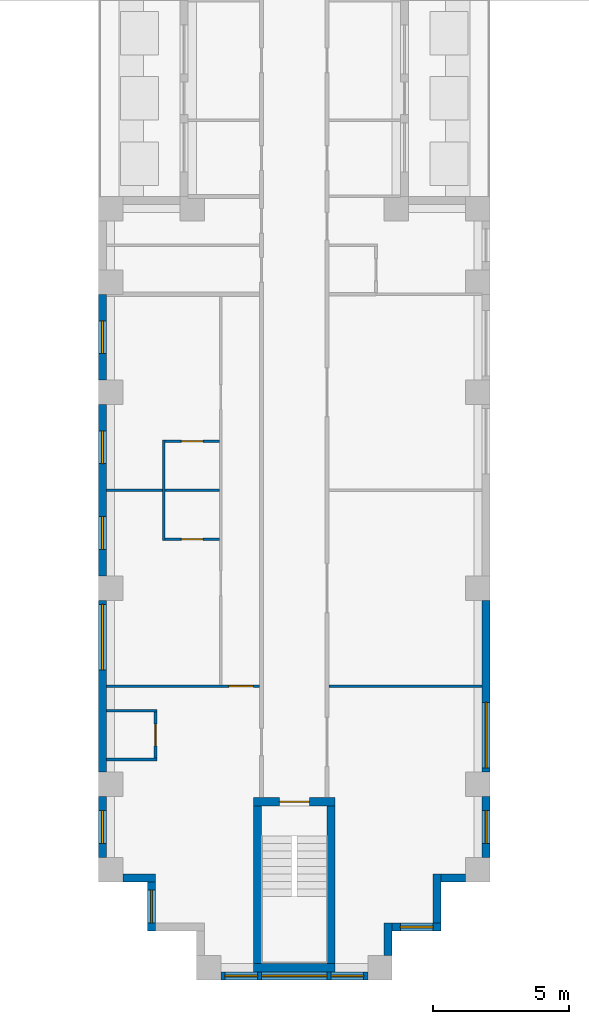
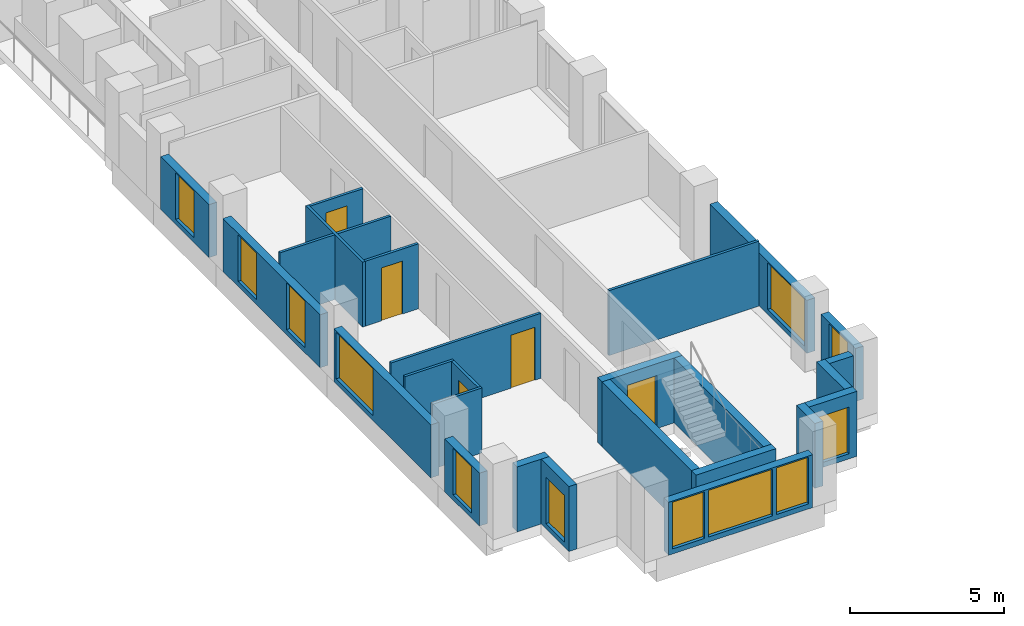
# One storey, part 3 of 13: 26 walls, 12 windows, 5 doors, 17 openings.
"""IFC4 building model written with IfcOpenShell, lengths in metres."""

from ifc_helpers import new_model, si_unit, direction, frame, frame_2d, origin, place, context, subcontext, project, spatial, rectangle, extrude, material, layer, layer_set, type_object, element, fill, save


model = new_model("IFC4")

# Units and contexts
model_context = context("Model", 3, precision=1e-05, world=origin(), true_north=direction((0.0, 1.0)))
body_context = subcontext(model_context, "Body", "Model", "MODEL_VIEW")
ifc_project = project(units=[si_unit("LENGTHUNIT", "METRE"), si_unit("AREAUNIT", "SQUARE_METRE"), si_unit("VOLUMEUNIT", "CUBIC_METRE"), si_unit("PLANEANGLEUNIT", "RADIAN"), si_unit("MASSUNIT", "GRAM", prefix="KILO")], contexts=[model_context])

# Site, building, storey
site_placement = place(None, origin())
site = spatial("IfcSite", under=ifc_project, at=site_placement, CompositionType="ELEMENT")
building_placement = place(site_placement, origin())
building = spatial("IfcBuilding", under=site, at=building_placement, Name="Fustian Cross Tower", CompositionType="ELEMENT")
storey_placement = place(building_placement, frame((0.0, 0.0, 81.89990234375)))
storey = spatial("IfcBuildingStorey", under=building, at=storey_placement, Name="L25", CompositionType="ELEMENT", Elevation=81.89990234375)

# Walls
ifc_material_1 = material(Name="Plasterboard on steel stud", Category="steel")
ifc_layer_1 = layer(ifc_material_1, 0.10009765625)
ifc_layer_set_1 = layer_set([ifc_layer_1], Name="Plasterboard on steel stud")
wall_type_1 = type_object("IfcWallType", Name="PARTITION 100 STUD", PredefinedType="PARTITIONING", material=ifc_layer_set_1)
for number, where, z_axis, x_axis, name in (
    (1, (-6.89990234375, -35.10009765625, 0.0), (0.0, 0.0, 1.0), (1.0, 0.0, 0.0), "Partition 13"),
    (2, (-6.89990234375, -33.300048828125, 0.0), (0.0, 0.0, 1.0), (1.0, 0.0, 0.0), "Partition 14"),
):
    element("IfcWall", number, at=place(storey_placement, frame(where, z_axis=z_axis, x_axis=x_axis)), inside=storey, type_object=wall_type_1, Name=name, PredefinedType="PARTITIONING", context=body_context, shape_type="SweptSolid", body=[
        extrude(rectangle(XDim=1.849853515625, YDim=0.10009765625, at=frame_2d((0.9248046875, 0.0))), origin(), (0.0, 0.0, 1.0), 2.5751953125),
    ])

# Wall, opening, door
wall_1_placement = place(storey_placement, frame((-6.89990234375, -32.39990234375, 0.0), z_axis=(0.0, 0.0, 1.0), x_axis=(1.0, 0.0, 0.0)))
wall_1 = element("IfcWall", 3, at=wall_1_placement, inside=storey, type_object=wall_type_1, Name="Partition 15", PredefinedType="PARTITIONING", context=body_context, shape_type="SweptSolid", body=[
    extrude(rectangle(XDim=5.625, YDim=0.10009765625, at=frame_2d((2.8125, 0.0))), origin(), (0.0, 0.0, 1.0), 2.5751953125),
])
opening_1_placement = place(wall_1_placement, frame((4.5, 0.0, 0.0)))
opening_1 = element("IfcOpeningElement", 4, at=opening_1_placement, cuts=wall_1, Name="Opening D12052", PredefinedType="OPENING", context=body_context, shape_type="SweptSolid", body=[
    extrude(rectangle(XDim=0.89990234375, YDim=2.10009765625, at=frame_2d((0.449951171875, 1.050048828125))), frame((0.0, 0.06005859375, 0.0), z_axis=(0.0, -1.0, 0.0), x_axis=(1.0, 0.0, 0.0)), (0.0, 0.0, 1.0), 0.1201171875),
])
ifc_material_2 = material(Name="Painted timber", Category="wood")
door_type_1 = type_object("IfcDoorType", Name="SWING DOOR 900", OperationType="SINGLE_SWING_LEFT", PredefinedType="DOOR", material=ifc_material_2)
door_1_placement = place(opening_1_placement, origin())
door_1 = element("IfcDoor", 5, at=door_1_placement, inside=storey, type_object=door_type_1, Name="Door D12052", OperationType="SINGLE_SWING_LEFT", OverallHeight=2.10009765625, OverallWidth=0.89990234375, PredefinedType="DOOR", context=body_context, shape_type="SweptSolid", body=[
    extrude(rectangle(XDim=0.89990234375, YDim=2.10009765625, at=frame_2d((0.449951171875, 1.050048828125))), frame((0.0, 0.02490234375, 0.0), z_axis=(0.0, -1.0, 0.0), x_axis=(1.0, 0.0, 0.0)), (0.0, 0.0, 1.0), 0.050048828125),
])
fill(opening_1, door_1)

# Wall
wall_2_placement = place(storey_placement, frame((-6.89990234375, -25.199951171875, 0.0), z_axis=(0.0, 0.0, 1.0), x_axis=(1.0, 0.0, 0.0)))
element("IfcWall", 6, at=wall_2_placement, inside=storey, type_object=wall_type_1, Name="Partition 16", PredefinedType="PARTITIONING", context=body_context, shape_type="SweptSolid", body=[
    extrude(rectangle(XDim=4.14990234375, YDim=0.10009765625, at=frame_2d((2.074951171875, 0.0))), origin(), (0.0, 0.0, 1.0), 2.5751953125),
])

# Wall, opening, door
wall_3_placement = place(storey_placement, frame((-5.10009765625, -35.050048828125, 0.0), z_axis=(0.0, 0.0, 1.0), x_axis=(0.0, 1.0, 0.0)))
wall_3 = element("IfcWall", 7, at=wall_3_placement, inside=storey, type_object=wall_type_1, Name="Partition 20", PredefinedType="PARTITIONING", context=body_context, shape_type="SweptSolid", body=[
    extrude(rectangle(XDim=1.699951171875, YDim=0.10009765625, at=frame_2d((0.85009765625, 0.0))), origin(), (0.0, 0.0, 1.0), 2.5751953125),
])
opening_2_placement = place(wall_3_placement, frame((0.449951171875, 0.0, 0.0)))
opening_2 = element("IfcOpeningElement", 8, at=opening_2_placement, cuts=wall_3, Name="Opening D12048", PredefinedType="OPENING", context=body_context, shape_type="SweptSolid", body=[
    extrude(rectangle(XDim=0.800048828125, YDim=2.10009765625, at=frame_2d((0.39990234375, 1.050048828125))), frame((0.0, 0.06005859375, 0.0), z_axis=(0.0, -1.0, 0.0), x_axis=(1.0, 0.0, 0.0)), (0.0, 0.0, 1.0), 0.1201171875),
])
ifc_material_3 = material(Name="Painted timber", Category="wood")
door_type_2 = type_object("IfcDoorType", Name="SWING DOOR 800", OperationType="SINGLE_SWING_LEFT", PredefinedType="DOOR", material=ifc_material_3)
door_2_placement = place(opening_2_placement, origin())
door_2 = element("IfcDoor", 9, at=door_2_placement, inside=storey, type_object=door_type_2, Name="Door D12048", OperationType="SINGLE_SWING_RIGHT", OverallHeight=2.10009765625, OverallWidth=0.800048828125, PredefinedType="DOOR", context=body_context, shape_type="SweptSolid", body=[
    extrude(rectangle(XDim=0.800048828125, YDim=2.10009765625, at=frame_2d((0.39990234375, 1.050048828125))), frame((0.0, 0.02490234375, 0.0), z_axis=(0.0, -1.0, 0.0), x_axis=(1.0, 0.0, 0.0)), (0.0, 0.0, 1.0), 0.050048828125),
])
fill(opening_2, door_2)

# Wall
wall_4_placement = place(storey_placement, frame((-4.800048828125, -27.050048828125, 0.0), z_axis=(0.0, 0.0, 1.0), x_axis=(0.0, 1.0, 0.0)))
element("IfcWall", 10, at=wall_4_placement, inside=storey, type_object=wall_type_1, Name="Partition 22", PredefinedType="PARTITIONING", context=body_context, shape_type="SweptSolid", body=[
    extrude(rectangle(XDim=3.699951171875, YDim=0.10009765625, at=frame_2d((1.85009765625, 0.0))), origin(), (0.0, 0.0, 1.0), 2.5751953125),
])

# Wall, opening, door
wall_5_placement = place(storey_placement, frame((-4.75, -27.0, 0.0), z_axis=(0.0, 0.0, 1.0), x_axis=(1.0, 0.0, 0.0)))
wall_5 = element("IfcWall", 11, at=wall_5_placement, inside=storey, type_object=wall_type_1, Name="Partition 23", PredefinedType="PARTITIONING", context=body_context, shape_type="SweptSolid", body=[
    extrude(rectangle(XDim=2.0, YDim=0.10009765625, at=frame_2d((1.0, 0.0))), origin(), (0.0, 0.0, 1.0), 2.5751953125),
])
opening_3_placement = place(wall_5_placement, frame((0.60009765625, 0.0, 0.0)))
opening_3 = element("IfcOpeningElement", 12, at=opening_3_placement, cuts=wall_5, Name="Opening D12054", PredefinedType="OPENING", context=body_context, shape_type="SweptSolid", body=[
    extrude(rectangle(XDim=0.800048828125, YDim=2.10009765625, at=frame_2d((0.39990234375, 1.050048828125))), frame((0.0, 0.06005859375, 0.0), z_axis=(0.0, -1.0, 0.0), x_axis=(1.0, 0.0, 0.0)), (0.0, 0.0, 1.0), 0.1201171875),
])
door_3_placement = place(opening_3_placement, origin())
door_3 = element("IfcDoor", 13, at=door_3_placement, inside=storey, type_object=door_type_2, Name="Door D12054", OperationType="SINGLE_SWING_LEFT", OverallHeight=2.10009765625, OverallWidth=0.800048828125, PredefinedType="DOOR", context=body_context, shape_type="SweptSolid", body=[
    extrude(rectangle(XDim=0.800048828125, YDim=2.10009765625, at=frame_2d((0.39990234375, 1.050048828125))), frame((0.0, 0.02490234375, 0.0), z_axis=(0.0, -1.0, 0.0), x_axis=(1.0, 0.0, 0.0)), (0.0, 0.0, 1.0), 0.050048828125),
])
fill(opening_3, door_3)

wall_6_placement = place(storey_placement, frame((-4.75, -23.39990234375, 0.0), z_axis=(0.0, 0.0, 1.0), x_axis=(1.0, 0.0, 0.0)))
wall_6 = element("IfcWall", 14, at=wall_6_placement, inside=storey, type_object=wall_type_1, Name="Partition 24", PredefinedType="PARTITIONING", context=body_context, shape_type="SweptSolid", body=[
    extrude(rectangle(XDim=2.0, YDim=0.10009765625, at=frame_2d((1.0, 0.0))), origin(), (0.0, 0.0, 1.0), 2.5751953125),
])
opening_4_placement = place(wall_6_placement, frame((0.60009765625, 0.0, 0.0)))
opening_4 = element("IfcOpeningElement", 15, at=opening_4_placement, cuts=wall_6, Name="Opening D12053", PredefinedType="OPENING", context=body_context, shape_type="SweptSolid", body=[
    extrude(rectangle(XDim=0.800048828125, YDim=2.10009765625, at=frame_2d((0.39990234375, 1.050048828125))), frame((0.0, 0.06005859375, 0.0), z_axis=(0.0, -1.0, 0.0), x_axis=(1.0, 0.0, 0.0)), (0.0, 0.0, 1.0), 0.1201171875),
])
door_4_placement = place(opening_4_placement, frame((0.800048828125, 0.0, 0.0), z_axis=(0.0, 0.0, 1.0), x_axis=(-1.0, 0.0, 0.0)))
door_4 = element("IfcDoor", 16, at=door_4_placement, inside=storey, type_object=door_type_2, Name="Door D12053", OperationType="SINGLE_SWING_RIGHT", OverallHeight=2.10009765625, OverallWidth=0.800048828125, PredefinedType="DOOR", context=body_context, shape_type="SweptSolid", body=[
    extrude(rectangle(XDim=0.800048828125, YDim=2.10009765625, at=frame_2d((0.39990234375, 1.050048828125))), frame((0.0, 0.02490234375, 0.0), z_axis=(0.0, -1.0, 0.0), x_axis=(1.0, 0.0, 0.0)), (0.0, 0.0, 1.0), 0.050048828125),
])
fill(opening_4, door_4)

# Wall
wall_7_placement = place(storey_placement, frame((1.27490234375, -32.39990234375, 0.0), z_axis=(0.0, 0.0, 1.0), x_axis=(1.0, 0.0, 0.0)))
element("IfcWall", 17, at=wall_7_placement, inside=storey, type_object=wall_type_1, Name="Partition 37", PredefinedType="PARTITIONING", context=body_context, shape_type="SweptSolid", body=[
    extrude(rectangle(XDim=5.625, YDim=0.10009765625, at=frame_2d((2.8125, 0.0))), origin(), (0.0, 0.0, 1.0), 2.5751953125),
])

# Wall, opening, door
ifc_material_4 = material(Name="Concrete C50/60", Category="concrete")
ifc_layer_2 = layer(ifc_material_4, 0.300048828125)
ifc_layer_set_2 = layer_set([ifc_layer_2], Name="Concrete C50/60")
wall_type_2 = type_object("IfcWallType", Name="STAIR ENCLOSURE WALL 300 C50/60", PredefinedType="SHEAR", material=ifc_layer_set_2)
wall_8_placement = place(storey_placement, frame((-1.5, -36.64990234375, 0.0), z_axis=(0.0, 0.0, 1.0), x_axis=(1.0, 0.0, 0.0)))
wall_8 = element("IfcWall", 18, at=wall_8_placement, inside=storey, type_object=wall_type_2, Name="Stair enclosure wall", PredefinedType="SHEAR", context=body_context, shape_type="SweptSolid", body=[
    extrude(rectangle(XDim=3.0, YDim=0.300048828125, at=frame_2d((1.5, 0.0))), origin(), (0.0, 0.0, 1.0), 2.5751953125),
])
opening_5_placement = place(wall_8_placement, frame((0.949951171875, 0.0, 0.0)))
opening_5 = element("IfcOpeningElement", 19, at=opening_5_placement, cuts=wall_8, Name="Opening CD-10-31", PredefinedType="OPENING", context=body_context, shape_type="SweptSolid", body=[
    extrude(rectangle(XDim=1.10009765625, YDim=2.10009765625, at=frame_2d((0.550048828125, 1.050048828125))), frame((0.0, 0.159912109375, 0.0), z_axis=(0.0, -1.0, 0.0), x_axis=(1.0, 0.0, 0.0)), (0.0, 0.0, 1.0), 0.320068359375),
])
ifc_material_5 = material(Name="Steel", Category="steel")
door_type_3 = type_object("IfcDoorType", Name="FIRE DOOR FD60S 1100X2100", OperationType="SINGLE_SWING_LEFT", PredefinedType="DOOR", material=ifc_material_5)
door_5_placement = place(opening_5_placement, frame((1.10009765625, 0.0, 0.0), z_axis=(0.0, 0.0, 1.0), x_axis=(-1.0, 0.0, 0.0)))
door_5 = element("IfcDoor", 20, at=door_5_placement, inside=storey, type_object=door_type_3, Name="Core door CD-10-31", OperationType="SINGLE_SWING_RIGHT", OverallHeight=2.10009765625, OverallWidth=1.10009765625, PredefinedType="DOOR", context=body_context, shape_type="SweptSolid", body=[
    extrude(rectangle(XDim=1.10009765625, YDim=2.10009765625, at=frame_2d((0.550048828125, 1.050048828125))), frame((0.0, 0.02490234375, 0.0), z_axis=(0.0, -1.0, 0.0), x_axis=(1.0, 0.0, 0.0)), (0.0, 0.0, 1.0), 0.050048828125),
])
fill(opening_5, door_5)

# Walls
wall_9_placement = place(storey_placement, frame((-1.5, -42.75, 0.0), z_axis=(0.0, 0.0, 1.0), x_axis=(1.0, 0.0, 0.0)))
element("IfcWall", 21, at=wall_9_placement, inside=storey, type_object=wall_type_2, Name="Stair enclosure wall", PredefinedType="SHEAR", context=body_context, shape_type="SweptSolid", body=[
    extrude(rectangle(XDim=3.0, YDim=0.300048828125, at=frame_2d((1.5, 0.0))), origin(), (0.0, 0.0, 1.0), 2.5751953125),
])
for number, where, z_axis, x_axis, name in (
    (22, (-1.35009765625, -36.800048828125, 0.0), (0.0, 0.0, 1.0), (0.0, -1.0, 0.0), "Stair enclosure wall"),
    (23, (1.35009765625, -36.800048828125, 0.0), (0.0, 0.0, 1.0), (0.0, -1.0, 0.0), "Stair enclosure wall"),
):
    element("IfcWall", number, at=place(storey_placement, frame(where, z_axis=z_axis, x_axis=x_axis)), inside=storey, type_object=wall_type_2, Name=name, PredefinedType="SHEAR", context=body_context, shape_type="SweptSolid", body=[
        extrude(rectangle(XDim=5.800048828125, YDim=0.300048828125, at=frame_2d((2.89990234375, 0.0))), origin(), (0.0, 0.0, 1.0), 2.5751953125),
    ])

# Wall, opening, window
ifc_material_6 = material(Name="Dark aluminium cladding on insulated backing wall", Category="aluminium")
ifc_layer_3 = layer(ifc_material_6, 0.300048828125)
ifc_layer_set_3 = layer_set([ifc_layer_3], Name="Dark aluminium cladding on insulated backing wall")
wall_type_3 = type_object("IfcWallType", Name="XW1 EXTERNAL WALL 300", PredefinedType="SOLIDWALL", material=ifc_layer_set_3)
wall_10_placement = place(storey_placement, frame((-7.050048828125, -18.0, 0.0), z_axis=(0.0, 0.0, 1.0), x_axis=(0.0, -1.0, 0.0)))
wall_10 = element("IfcWall", 24, at=wall_10_placement, inside=storey, type_object=wall_type_3, Name="External wall", PredefinedType="SOLIDWALL", context=body_context, shape_type="SweptSolid", body=[
    extrude(rectangle(XDim=3.14990234375, YDim=0.300048828125, at=frame_2d((1.574951171875, 0.0))), origin(), (0.0, 0.0, 1.0), 2.10009765625),
])
opening_6_placement = place(wall_10_placement, frame((0.97509765625, 0.0, 0.199951171875)))
opening_6 = element("IfcOpeningElement", 25, at=opening_6_placement, cuts=wall_10, Name="Opening WN3", PredefinedType="OPENING", context=body_context, shape_type="SweptSolid", body=[
    extrude(rectangle(XDim=1.199951171875, YDim=1.85009765625, at=frame_2d((0.60009765625, 0.925048828125))), frame((0.0, 0.159912109375, 0.0), z_axis=(0.0, -1.0, 0.0), x_axis=(1.0, 0.0, 0.0)), (0.0, 0.0, 1.0), 0.320068359375),
])
ifc_material_7 = material(Name="Dark anodised aluminium and double glazing", Category="aluminium")
window_type_1 = type_object("IfcWindowType", Name="WN3 WINDOW 1200X1850", PartitioningType="SINGLE_PANEL", PredefinedType="WINDOW", material=ifc_material_7)
window_1_placement = place(opening_6_placement, origin())
window_1 = element("IfcWindow", 26, at=window_1_placement, inside=storey, type_object=window_type_1, Name="Window", OverallHeight=1.85009765625, OverallWidth=1.199951171875, PartitioningType="SINGLE_PANEL", PredefinedType="WINDOW", context=body_context, shape_type="SweptSolid", body=[
    extrude(rectangle(XDim=1.199951171875, YDim=1.85009765625, at=frame_2d((0.60009765625, 0.925048828125))), frame((0.0, 0.030029296875, 0.0), z_axis=(0.0, -1.0, 0.0), x_axis=(1.0, 0.0, 0.0)), (0.0, 0.0, 1.0), 0.06005859375),
])
fill(opening_6, window_1)

# Wall, openings, windows
wall_11_placement = place(storey_placement, frame((-7.050048828125, -22.050048828125, 0.0), z_axis=(0.0, 0.0, 1.0), x_axis=(0.0, -1.0, 0.0)))
wall_11 = element("IfcWall", 27, at=wall_11_placement, inside=storey, type_object=wall_type_3, Name="External wall", PredefinedType="SOLIDWALL", context=body_context, shape_type="SweptSolid", body=[
    extrude(rectangle(XDim=6.300048828125, YDim=0.300048828125, at=frame_2d((3.14990234375, 0.0))), origin(), (0.0, 0.0, 1.0), 2.10009765625),
])
opening_7_placement = place(wall_11_placement, frame((0.97509765625, 0.0, 0.199951171875)))
opening_7 = element("IfcOpeningElement", 28, at=opening_7_placement, cuts=wall_11, Name="Opening WN3", PredefinedType="OPENING", context=body_context, shape_type="SweptSolid", body=[
    extrude(rectangle(XDim=1.199951171875, YDim=1.85009765625, at=frame_2d((0.60009765625, 0.925048828125))), frame((0.0, 0.159912109375, 0.0), z_axis=(0.0, -1.0, 0.0), x_axis=(1.0, 0.0, 0.0)), (0.0, 0.0, 1.0), 0.320068359375),
])
opening_8_placement = place(wall_11_placement, frame((4.125, 0.0, 0.199951171875)))
opening_8 = element("IfcOpeningElement", 29, at=opening_8_placement, cuts=wall_11, Name="Opening WN3", PredefinedType="OPENING", context=body_context, shape_type="SweptSolid", body=[
    extrude(rectangle(XDim=1.199951171875, YDim=1.85009765625, at=frame_2d((0.60009765625, 0.925048828125))), frame((0.0, 0.159912109375, 0.0), z_axis=(0.0, -1.0, 0.0), x_axis=(1.0, 0.0, 0.0)), (0.0, 0.0, 1.0), 0.320068359375),
])
window_2_placement = place(opening_7_placement, origin())
window_2 = element("IfcWindow", 30, at=window_2_placement, inside=storey, type_object=window_type_1, Name="Window", OverallHeight=1.85009765625, OverallWidth=1.199951171875, PartitioningType="SINGLE_PANEL", PredefinedType="WINDOW", context=body_context, shape_type="SweptSolid", body=[
    extrude(rectangle(XDim=1.199951171875, YDim=1.85009765625, at=frame_2d((0.60009765625, 0.925048828125))), frame((0.0, 0.030029296875, 0.0), z_axis=(0.0, -1.0, 0.0), x_axis=(1.0, 0.0, 0.0)), (0.0, 0.0, 1.0), 0.06005859375),
])
fill(opening_7, window_2)
window_3_placement = place(opening_8_placement, origin())
window_3 = element("IfcWindow", 31, at=window_3_placement, inside=storey, type_object=window_type_1, Name="Window", OverallHeight=1.85009765625, OverallWidth=1.199951171875, PartitioningType="SINGLE_PANEL", PredefinedType="WINDOW", context=body_context, shape_type="SweptSolid", body=[
    extrude(rectangle(XDim=1.199951171875, YDim=1.85009765625, at=frame_2d((0.60009765625, 0.925048828125))), frame((0.0, 0.030029296875, 0.0), z_axis=(0.0, -1.0, 0.0), x_axis=(1.0, 0.0, 0.0)), (0.0, 0.0, 1.0), 0.06005859375),
])
fill(opening_8, window_3)

# Wall, opening, window
wall_12_placement = place(storey_placement, frame((-7.050048828125, -29.25, 0.0), z_axis=(0.0, 0.0, 1.0), x_axis=(0.0, -1.0, 0.0)))
wall_12 = element("IfcWall", 32, at=wall_12_placement, inside=storey, type_object=wall_type_3, Name="External wall", PredefinedType="SOLIDWALL", context=body_context, shape_type="SweptSolid", body=[
    extrude(rectangle(XDim=6.300048828125, YDim=0.300048828125, at=frame_2d((3.14990234375, 0.0))), origin(), (0.0, 0.0, 1.0), 2.10009765625),
])
opening_9_placement = place(wall_12_placement, frame((0.14990234375, 0.0, 0.199951171875)))
opening_9 = element("IfcOpeningElement", 33, at=opening_9_placement, cuts=wall_12, Name="Opening WN1", PredefinedType="OPENING", context=body_context, shape_type="SweptSolid", body=[
    extrude(rectangle(XDim=2.39990234375, YDim=1.85009765625, at=frame_2d((1.199951171875, 0.925048828125))), frame((0.0, 0.159912109375, 0.0), z_axis=(0.0, -1.0, 0.0), x_axis=(1.0, 0.0, 0.0)), (0.0, 0.0, 1.0), 0.320068359375),
])
ifc_material_8 = material(Name="Dark anodised aluminium and double glazing", Category="aluminium")
window_type_2 = type_object("IfcWindowType", Name="WN1 WINDOW 2400X1850", PartitioningType="SINGLE_PANEL", PredefinedType="WINDOW", material=ifc_material_8)
window_4_placement = place(opening_9_placement, origin())
window_4 = element("IfcWindow", 34, at=window_4_placement, inside=storey, type_object=window_type_2, Name="Window", OverallHeight=1.85009765625, OverallWidth=2.39990234375, PartitioningType="SINGLE_PANEL", PredefinedType="WINDOW", context=body_context, shape_type="SweptSolid", body=[
    extrude(rectangle(XDim=2.39990234375, YDim=1.85009765625, at=frame_2d((1.199951171875, 0.925048828125))), frame((0.0, 0.030029296875, 0.0), z_axis=(0.0, -1.0, 0.0), x_axis=(1.0, 0.0, 0.0)), (0.0, 0.0, 1.0), 0.06005859375),
])
fill(opening_9, window_4)

wall_13_placement = place(storey_placement, frame((-7.050048828125, -36.449951171875, 0.0), z_axis=(0.0, 0.0, 1.0), x_axis=(0.0, -1.0, 0.0)))
wall_13 = element("IfcWall", 35, at=wall_13_placement, inside=storey, type_object=wall_type_3, Name="External wall", PredefinedType="SOLIDWALL", context=body_context, shape_type="SweptSolid", body=[
    extrude(rectangle(XDim=2.25, YDim=0.300048828125, at=frame_2d((1.125, 0.0))), origin(), (0.0, 0.0, 1.0), 2.10009765625),
])
opening_10_placement = place(wall_13_placement, frame((0.52490234375, 0.0, 0.199951171875)))
opening_10 = element("IfcOpeningElement", 36, at=opening_10_placement, cuts=wall_13, Name="Opening WN3", PredefinedType="OPENING", context=body_context, shape_type="SweptSolid", body=[
    extrude(rectangle(XDim=1.199951171875, YDim=1.85009765625, at=frame_2d((0.60009765625, 0.925048828125))), frame((0.0, 0.159912109375, 0.0), z_axis=(0.0, -1.0, 0.0), x_axis=(1.0, 0.0, 0.0)), (0.0, 0.0, 1.0), 0.320068359375),
])
window_5_placement = place(opening_10_placement, origin())
window_5 = element("IfcWindow", 37, at=window_5_placement, inside=storey, type_object=window_type_1, Name="Window", OverallHeight=1.85009765625, OverallWidth=1.199951171875, PartitioningType="SINGLE_PANEL", PredefinedType="WINDOW", context=body_context, shape_type="SweptSolid", body=[
    extrude(rectangle(XDim=1.199951171875, YDim=1.85009765625, at=frame_2d((0.60009765625, 0.925048828125))), frame((0.0, 0.030029296875, 0.0), z_axis=(0.0, -1.0, 0.0), x_axis=(1.0, 0.0, 0.0)), (0.0, 0.0, 1.0), 0.06005859375),
])
fill(opening_10, window_5)

# Wall
wall_14_placement = place(storey_placement, frame((-6.300048828125, -39.449951171875, 0.0), z_axis=(0.0, 0.0, 1.0), x_axis=(1.0, 0.0, 0.0)))
element("IfcWall", 38, at=wall_14_placement, inside=storey, type_object=wall_type_3, Name="External wall", PredefinedType="SOLIDWALL", context=body_context, shape_type="SweptSolid", body=[
    extrude(rectangle(XDim=1.199951171875, YDim=0.300048828125, at=frame_2d((0.60009765625, 0.0))), origin(), (0.0, 0.0, 1.0), 2.5751953125),
])

# Wall, opening, window
wall_15_placement = place(storey_placement, frame((-5.25, -39.60009765625, 0.0), z_axis=(0.0, 0.0, 1.0), x_axis=(0.0, -1.0, 0.0)))
wall_15 = element("IfcWall", 39, at=wall_15_placement, inside=storey, type_object=wall_type_3, Name="External wall", PredefinedType="SOLIDWALL", context=body_context, shape_type="SweptSolid", body=[
    extrude(rectangle(XDim=1.7998046875, YDim=0.300048828125, at=frame_2d((0.89990234375, 0.0))), origin(), (0.0, 0.0, 1.0), 2.5751953125),
])
opening_11_placement = place(wall_15_placement, frame((0.300048828125, 0.0, 0.199951171875)))
opening_11 = element("IfcOpeningElement", 40, at=opening_11_placement, cuts=wall_15, Name="Opening WN3", PredefinedType="OPENING", context=body_context, shape_type="SweptSolid", body=[
    extrude(rectangle(XDim=1.199951171875, YDim=1.85009765625, at=frame_2d((0.60009765625, 0.925048828125))), frame((0.0, 0.159912109375, 0.0), z_axis=(0.0, -1.0, 0.0), x_axis=(1.0, 0.0, 0.0)), (0.0, 0.0, 1.0), 0.320068359375),
])
window_6_placement = place(opening_11_placement, origin())
window_6 = element("IfcWindow", 41, at=window_6_placement, inside=storey, type_object=window_type_1, Name="Window", OverallHeight=1.85009765625, OverallWidth=1.199951171875, PartitioningType="SINGLE_PANEL", PredefinedType="WINDOW", context=body_context, shape_type="SweptSolid", body=[
    extrude(rectangle(XDim=1.199951171875, YDim=1.85009765625, at=frame_2d((0.60009765625, 0.925048828125))), frame((0.0, 0.030029296875, 0.0), z_axis=(0.0, -1.0, 0.0), x_axis=(1.0, 0.0, 0.0)), (0.0, 0.0, 1.0), 0.06005859375),
])
fill(opening_11, window_6)

# Wall, openings, windows
wall_16_placement = place(storey_placement, frame((-2.699951171875, -43.050048828125, 0.0), z_axis=(0.0, 0.0, 1.0), x_axis=(1.0, 0.0, 0.0)))
wall_16 = element("IfcWall", 42, at=wall_16_placement, inside=storey, type_object=wall_type_3, Name="External wall", PredefinedType="SOLIDWALL", context=body_context, shape_type="SweptSolid", body=[
    extrude(rectangle(XDim=5.39990234375, YDim=0.300048828125, at=frame_2d((2.699951171875, 0.0))), origin(), (0.0, 0.0, 1.0), 2.10009765625),
])
opening_12_placement = place(wall_16_placement, frame((1.5, 0.0, 0.199951171875)))
opening_12 = element("IfcOpeningElement", 43, at=opening_12_placement, cuts=wall_16, Name="Opening WN1", PredefinedType="OPENING", context=body_context, shape_type="SweptSolid", body=[
    extrude(rectangle(XDim=2.39990234375, YDim=1.85009765625, at=frame_2d((1.199951171875, 0.925048828125))), frame((0.0, 0.159912109375, 0.0), z_axis=(0.0, -1.0, 0.0), x_axis=(1.0, 0.0, 0.0)), (0.0, 0.0, 1.0), 0.320068359375),
])
opening_13_placement = place(wall_16_placement, frame((0.14990234375, 0.0, 0.199951171875)))
opening_13 = element("IfcOpeningElement", 44, at=opening_13_placement, cuts=wall_16, Name="Opening WN3", PredefinedType="OPENING", context=body_context, shape_type="SweptSolid", body=[
    extrude(rectangle(XDim=1.199951171875, YDim=1.85009765625, at=frame_2d((0.60009765625, 0.925048828125))), frame((0.0, 0.159912109375, 0.0), z_axis=(0.0, -1.0, 0.0), x_axis=(1.0, 0.0, 0.0)), (0.0, 0.0, 1.0), 0.320068359375),
])
opening_14_placement = place(wall_16_placement, frame((4.050048828125, 0.0, 0.199951171875)))
opening_14 = element("IfcOpeningElement", 45, at=opening_14_placement, cuts=wall_16, Name="Opening WN3", PredefinedType="OPENING", context=body_context, shape_type="SweptSolid", body=[
    extrude(rectangle(XDim=1.199951171875, YDim=1.85009765625, at=frame_2d((0.60009765625, 0.925048828125))), frame((0.0, 0.159912109375, 0.0), z_axis=(0.0, -1.0, 0.0), x_axis=(1.0, 0.0, 0.0)), (0.0, 0.0, 1.0), 0.320068359375),
])
window_7_placement = place(opening_12_placement, origin())
window_7 = element("IfcWindow", 46, at=window_7_placement, inside=storey, type_object=window_type_2, Name="Window", OverallHeight=1.85009765625, OverallWidth=2.39990234375, PartitioningType="SINGLE_PANEL", PredefinedType="WINDOW", context=body_context, shape_type="SweptSolid", body=[
    extrude(rectangle(XDim=2.39990234375, YDim=1.85009765625, at=frame_2d((1.199951171875, 0.925048828125))), frame((0.0, 0.030029296875, 0.0), z_axis=(0.0, -1.0, 0.0), x_axis=(1.0, 0.0, 0.0)), (0.0, 0.0, 1.0), 0.06005859375),
])
fill(opening_12, window_7)
window_8_placement = place(opening_13_placement, origin())
window_8 = element("IfcWindow", 47, at=window_8_placement, inside=storey, type_object=window_type_1, Name="Window", OverallHeight=1.85009765625, OverallWidth=1.199951171875, PartitioningType="SINGLE_PANEL", PredefinedType="WINDOW", context=body_context, shape_type="SweptSolid", body=[
    extrude(rectangle(XDim=1.199951171875, YDim=1.85009765625, at=frame_2d((0.60009765625, 0.925048828125))), frame((0.0, 0.030029296875, 0.0), z_axis=(0.0, -1.0, 0.0), x_axis=(1.0, 0.0, 0.0)), (0.0, 0.0, 1.0), 0.06005859375),
])
fill(opening_13, window_8)
window_9_placement = place(opening_14_placement, origin())
window_9 = element("IfcWindow", 48, at=window_9_placement, inside=storey, type_object=window_type_1, Name="Window", OverallHeight=1.85009765625, OverallWidth=1.199951171875, PartitioningType="SINGLE_PANEL", PredefinedType="WINDOW", context=body_context, shape_type="SweptSolid", body=[
    extrude(rectangle(XDim=1.199951171875, YDim=1.85009765625, at=frame_2d((0.60009765625, 0.925048828125))), frame((0.0, 0.030029296875, 0.0), z_axis=(0.0, -1.0, 0.0), x_axis=(1.0, 0.0, 0.0)), (0.0, 0.0, 1.0), 0.06005859375),
])
fill(opening_14, window_9)

# Wall
wall_17_placement = place(storey_placement, frame((3.449951171875, -42.300048828125, 0.0), z_axis=(0.0, 0.0, 1.0), x_axis=(0.0, 1.0, 0.0)))
element("IfcWall", 49, at=wall_17_placement, inside=storey, type_object=wall_type_3, Name="External wall", PredefinedType="SOLIDWALL", context=body_context, shape_type="SweptSolid", body=[
    extrude(rectangle(XDim=1.199951171875, YDim=0.300048828125, at=frame_2d((0.60009765625, 0.0))), origin(), (0.0, 0.0, 1.0), 2.5751953125),
])

# Wall, opening, window
wall_18_placement = place(storey_placement, frame((3.60009765625, -41.25, 0.0), z_axis=(0.0, 0.0, 1.0), x_axis=(1.0, 0.0, 0.0)))
wall_18 = element("IfcWall", 50, at=wall_18_placement, inside=storey, type_object=wall_type_3, Name="External wall", PredefinedType="SOLIDWALL", context=body_context, shape_type="SweptSolid", body=[
    extrude(rectangle(XDim=1.7998046875, YDim=0.300048828125, at=frame_2d((0.89990234375, 0.0))), origin(), (0.0, 0.0, 1.0), 2.5751953125),
])
opening_15_placement = place(wall_18_placement, frame((0.300048828125, 0.0, 0.199951171875)))
opening_15 = element("IfcOpeningElement", 51, at=opening_15_placement, cuts=wall_18, Name="Opening WN3", PredefinedType="OPENING", context=body_context, shape_type="SweptSolid", body=[
    extrude(rectangle(XDim=1.199951171875, YDim=1.85009765625, at=frame_2d((0.60009765625, 0.925048828125))), frame((0.0, 0.159912109375, 0.0), z_axis=(0.0, -1.0, 0.0), x_axis=(1.0, 0.0, 0.0)), (0.0, 0.0, 1.0), 0.320068359375),
])
window_10_placement = place(opening_15_placement, origin())
window_10 = element("IfcWindow", 52, at=window_10_placement, inside=storey, type_object=window_type_1, Name="Window", OverallHeight=1.85009765625, OverallWidth=1.199951171875, PartitioningType="SINGLE_PANEL", PredefinedType="WINDOW", context=body_context, shape_type="SweptSolid", body=[
    extrude(rectangle(XDim=1.199951171875, YDim=1.85009765625, at=frame_2d((0.60009765625, 0.925048828125))), frame((0.0, 0.030029296875, 0.0), z_axis=(0.0, -1.0, 0.0), x_axis=(1.0, 0.0, 0.0)), (0.0, 0.0, 1.0), 0.06005859375),
])
fill(opening_15, window_10)

# Walls
wall_19_placement = place(storey_placement, frame((5.25, -41.10009765625, 0.0), z_axis=(0.0, 0.0, 1.0), x_axis=(0.0, 1.0, 0.0)))
element("IfcWall", 53, at=wall_19_placement, inside=storey, type_object=wall_type_3, Name="External wall", PredefinedType="SOLIDWALL", context=body_context, shape_type="SweptSolid", body=[
    extrude(rectangle(XDim=1.800048828125, YDim=0.300048828125, at=frame_2d((0.89990234375, 0.0))), origin(), (0.0, 0.0, 1.0), 2.5751953125),
])
wall_20_placement = place(storey_placement, frame((5.39990234375, -39.449951171875, 0.0), z_axis=(0.0, 0.0, 1.0), x_axis=(1.0, 0.0, 0.0)))
element("IfcWall", 54, at=wall_20_placement, inside=storey, type_object=wall_type_3, Name="External wall", PredefinedType="SOLIDWALL", context=body_context, shape_type="SweptSolid", body=[
    extrude(rectangle(XDim=0.900146484375, YDim=0.300048828125, at=frame_2d((0.4501953125, 0.0))), origin(), (0.0, 0.0, 1.0), 2.5751953125),
])

# Wall, opening, window
wall_21_placement = place(storey_placement, frame((7.050048828125, -38.699951171875, 0.0), z_axis=(0.0, 0.0, 1.0), x_axis=(0.0, 1.0, 0.0)))
wall_21 = element("IfcWall", 55, at=wall_21_placement, inside=storey, type_object=wall_type_3, Name="External wall", PredefinedType="SOLIDWALL", context=body_context, shape_type="SweptSolid", body=[
    extrude(rectangle(XDim=2.25, YDim=0.300048828125, at=frame_2d((1.125, 0.0))), origin(), (0.0, 0.0, 1.0), 2.10009765625),
])
opening_16_placement = place(wall_21_placement, frame((0.52490234375, 0.0, 0.199951171875)))
opening_16 = element("IfcOpeningElement", 56, at=opening_16_placement, cuts=wall_21, Name="Opening WN3", PredefinedType="OPENING", context=body_context, shape_type="SweptSolid", body=[
    extrude(rectangle(XDim=1.199951171875, YDim=1.85009765625, at=frame_2d((0.60009765625, 0.925048828125))), frame((0.0, 0.159912109375, 0.0), z_axis=(0.0, -1.0, 0.0), x_axis=(1.0, 0.0, 0.0)), (0.0, 0.0, 1.0), 0.320068359375),
])
window_11_placement = place(opening_16_placement, origin())
window_11 = element("IfcWindow", 57, at=window_11_placement, inside=storey, type_object=window_type_1, Name="Window", OverallHeight=1.85009765625, OverallWidth=1.199951171875, PartitioningType="SINGLE_PANEL", PredefinedType="WINDOW", context=body_context, shape_type="SweptSolid", body=[
    extrude(rectangle(XDim=1.199951171875, YDim=1.85009765625, at=frame_2d((0.60009765625, 0.925048828125))), frame((0.0, 0.030029296875, 0.0), z_axis=(0.0, -1.0, 0.0), x_axis=(1.0, 0.0, 0.0)), (0.0, 0.0, 1.0), 0.06005859375),
])
fill(opening_16, window_11)

wall_22_placement = place(storey_placement, frame((7.050048828125, -35.550048828125, 0.0), z_axis=(0.0, 0.0, 1.0), x_axis=(0.0, 1.0, 0.0)))
wall_22 = element("IfcWall", 58, at=wall_22_placement, inside=storey, type_object=wall_type_3, Name="External wall", PredefinedType="SOLIDWALL", context=body_context, shape_type="SweptSolid", body=[
    extrude(rectangle(XDim=6.300048828125, YDim=0.300048828125, at=frame_2d((3.14990234375, 0.0))), origin(), (0.0, 0.0, 1.0), 2.10009765625),
])
opening_17_placement = place(wall_22_placement, frame((0.14990234375, 0.0, 0.199951171875)))
opening_17 = element("IfcOpeningElement", 59, at=opening_17_placement, cuts=wall_22, Name="Opening WN1", PredefinedType="OPENING", context=body_context, shape_type="SweptSolid", body=[
    extrude(rectangle(XDim=2.39990234375, YDim=1.85009765625, at=frame_2d((1.199951171875, 0.925048828125))), frame((0.0, 0.159912109375, 0.0), z_axis=(0.0, -1.0, 0.0), x_axis=(1.0, 0.0, 0.0)), (0.0, 0.0, 1.0), 0.320068359375),
])
window_12_placement = place(opening_17_placement, origin())
window_12 = element("IfcWindow", 60, at=window_12_placement, inside=storey, type_object=window_type_2, Name="Window", OverallHeight=1.85009765625, OverallWidth=2.39990234375, PartitioningType="SINGLE_PANEL", PredefinedType="WINDOW", context=body_context, shape_type="SweptSolid", body=[
    extrude(rectangle(XDim=2.39990234375, YDim=1.85009765625, at=frame_2d((1.199951171875, 0.925048828125))), frame((0.0, 0.030029296875, 0.0), z_axis=(0.0, -1.0, 0.0), x_axis=(1.0, 0.0, 0.0)), (0.0, 0.0, 1.0), 0.06005859375),
])
fill(opening_17, window_12)

save(model, "model.ifc")
